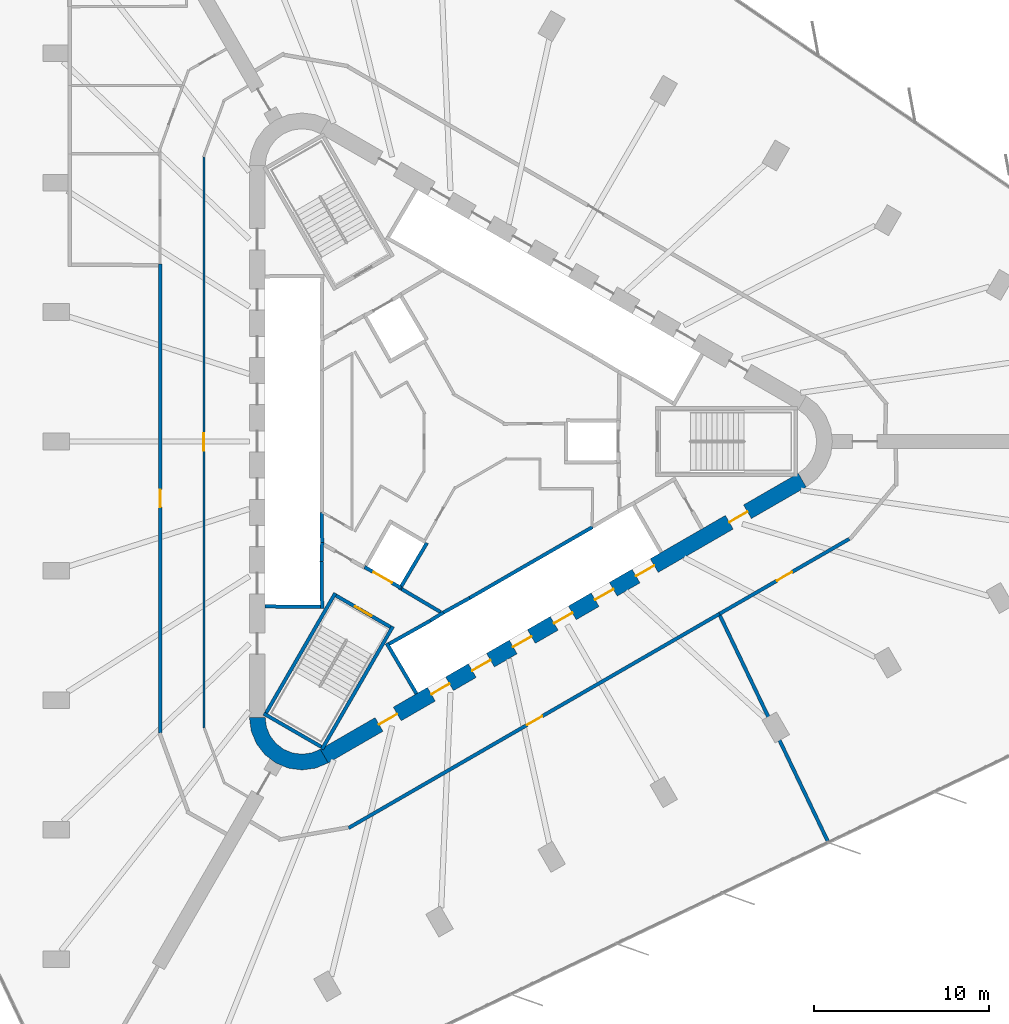
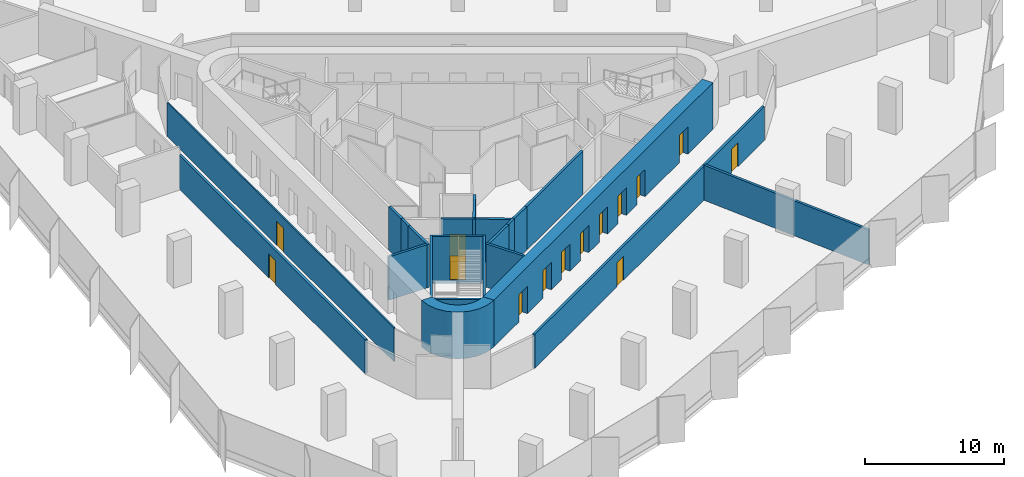
# One storey, part 9 of 14: 23 walls, 14 doors, 14 openings.
"""IFC4 building model written with IfcOpenShell, lengths in metres."""

from ifc_helpers import new_model, si_unit, direction, frame, frame_2d, origin, place, context, subcontext, project, spatial, polyline, rectangle, outline, extrude, material, layer, layer_set, type_object, element, fill, save


model = new_model("IFC4")

# Units and contexts
model_context = context("Model", 3, precision=1e-05, world=origin(), true_north=direction((0.0, 1.0)))
body_context = subcontext(model_context, "Body", "Model", "MODEL_VIEW")
ifc_project = project(units=[si_unit("LENGTHUNIT", "METRE"), si_unit("AREAUNIT", "SQUARE_METRE"), si_unit("VOLUMEUNIT", "CUBIC_METRE"), si_unit("PLANEANGLEUNIT", "RADIAN"), si_unit("MASSUNIT", "GRAM", prefix="KILO")], contexts=[model_context])

# Site, building, storey
site_placement = place(None, origin())
site = spatial("IfcSite", under=ifc_project, at=site_placement, CompositionType="ELEMENT")
building_placement = place(site_placement, origin())
building = spatial("IfcBuilding", under=site, at=building_placement, Name="Tanit Gate Tower", CompositionType="ELEMENT")
storey_placement = place(building_placement, frame((0.0, 0.0, 82.39990234375)))
storey = spatial("IfcBuildingStorey", under=building, at=storey_placement, Name="L16", CompositionType="ELEMENT", Elevation=82.39990234375)

# Wall, openings, doors
ifc_material_1 = material(Name="Concrete C60/75", Category="concrete")
ifc_layer_1 = layer(ifc_material_1, 0.89990234375)
ifc_layer_set_1 = layer_set([ifc_layer_1], Name="CORE WALL 900 C60/75")
wall_type_1 = type_object("IfcWallType", Name="CORE WALL 900 C60/75", PredefinedType="SHEAR", material=ifc_layer_set_1)
wall_1_placement = place(storey_placement, frame((-7.824951171875, -17.969970703125, 0.0), z_axis=(0.0, 0.0, 1.0), x_axis=(0.866028369851, 0.499994862586, 0.0)))
wall_1 = element("IfcWall", 1, at=wall_1_placement, inside=storey, type_object=wall_type_1, Name="CORE WALL", PredefinedType="SHEAR", context=body_context, shape_type="SweptSolid", body=[
    extrude(rectangle(XDim=31.523193359375, YDim=0.89990234375, at=frame_2d((15.76171875, 0.0))), origin(), (0.0, 0.0, 1.0), 4.10009765625),
])
opening_1_placement = place(wall_1_placement, frame((7.061767578125, 0.0, 0.0)))
opening_1 = element("IfcOpeningElement", 2, at=opening_1_placement, cuts=wall_1, Name="Opening LDSX1-S03", PredefinedType="OPENING", context=body_context, shape_type="SweptSolid", body=[
    extrude(rectangle(XDim=1.199951171875, YDim=2.39990234375, at=frame_2d((0.60009765625, 1.199951171875))), frame((0.0, 0.4599609375, 0.0), z_axis=(0.0, -1.0, 0.0), x_axis=(1.0, 0.0, 0.0)), (0.0, 0.0, 1.0), 0.919921875),
])
opening_2_placement = place(wall_1_placement, frame((9.76171875, 0.0, 0.0)))
opening_2 = element("IfcOpeningElement", 3, at=opening_2_placement, cuts=wall_1, Name="Opening LDSX2-S03", PredefinedType="OPENING", context=body_context, shape_type="SweptSolid", body=[
    extrude(rectangle(XDim=1.199951171875, YDim=2.39990234375, at=frame_2d((0.60009765625, 1.199951171875))), frame((0.0, 0.4599609375, 0.0), z_axis=(0.0, -1.0, 0.0), x_axis=(1.0, 0.0, 0.0)), (0.0, 0.0, 1.0), 0.919921875),
])
opening_3_placement = place(wall_1_placement, frame((12.461669921875, 0.0, 0.0)))
opening_3 = element("IfcOpeningElement", 4, at=opening_3_placement, cuts=wall_1, Name="Opening LDSX3-S03", PredefinedType="OPENING", context=body_context, shape_type="SweptSolid", body=[
    extrude(rectangle(XDim=1.199951171875, YDim=2.39990234375, at=frame_2d((0.60009765625, 1.199951171875))), frame((0.0, 0.4599609375, 0.0), z_axis=(0.0, -1.0, 0.0), x_axis=(1.0, 0.0, 0.0)), (0.0, 0.0, 1.0), 0.919921875),
])
opening_4_placement = place(wall_1_placement, frame((15.16162109375, 0.0, 0.0)))
opening_4 = element("IfcOpeningElement", 5, at=opening_4_placement, cuts=wall_1, Name="Opening LDSX4-S03", PredefinedType="OPENING", context=body_context, shape_type="SweptSolid", body=[
    extrude(rectangle(XDim=1.199951171875, YDim=2.39990234375, at=frame_2d((0.60009765625, 1.199951171875))), frame((0.0, 0.4599609375, 0.0), z_axis=(0.0, -1.0, 0.0), x_axis=(1.0, 0.0, 0.0)), (0.0, 0.0, 1.0), 0.919921875),
])
opening_5_placement = place(wall_1_placement, frame((17.861572265625, 0.0, 0.0)))
opening_5 = element("IfcOpeningElement", 6, at=opening_5_placement, cuts=wall_1, Name="Opening LDSV1-S03", PredefinedType="OPENING", context=body_context, shape_type="SweptSolid", body=[
    extrude(rectangle(XDim=1.199951171875, YDim=2.39990234375, at=frame_2d((0.60009765625, 1.199951171875))), frame((0.0, 0.4599609375, 0.0), z_axis=(0.0, -1.0, 0.0), x_axis=(1.0, 0.0, 0.0)), (0.0, 0.0, 1.0), 0.919921875),
])
opening_6_placement = place(wall_1_placement, frame((20.561767578125, 0.0, 0.0)))
opening_6 = element("IfcOpeningElement", 7, at=opening_6_placement, cuts=wall_1, Name="Opening LDSV2-S03", PredefinedType="OPENING", context=body_context, shape_type="SweptSolid", body=[
    extrude(rectangle(XDim=1.199951171875, YDim=2.39990234375, at=frame_2d((0.60009765625, 1.199951171875))), frame((0.0, 0.4599609375, 0.0), z_axis=(0.0, -1.0, 0.0), x_axis=(1.0, 0.0, 0.0)), (0.0, 0.0, 1.0), 0.919921875),
])
opening_7_placement = place(wall_1_placement, frame((26.711669921875, 0.0, 0.0)))
opening_7 = element("IfcOpeningElement", 8, at=opening_7_placement, cuts=wall_1, Name="Opening F12-S03-S1", PredefinedType="OPENING", context=body_context, shape_type="SweptSolid", body=[
    extrude(rectangle(XDim=1.199951171875, YDim=2.39990234375, at=frame_2d((0.60009765625, 1.199951171875))), frame((0.0, 0.4599609375, 0.0), z_axis=(0.0, -1.0, 0.0), x_axis=(1.0, 0.0, 0.0)), (0.0, 0.0, 1.0), 0.919921875),
])
opening_8_placement = place(wall_1_placement, frame((3.611572265625, 0.0, 0.0)))
opening_8 = element("IfcOpeningElement", 9, at=opening_8_placement, cuts=wall_1, Name="Opening F12-S03-FL3", PredefinedType="OPENING", context=body_context, shape_type="SweptSolid", body=[
    extrude(rectangle(XDim=1.199951171875, YDim=2.39990234375, at=frame_2d((0.60009765625, 1.199951171875))), frame((0.0, 0.4599609375, 0.0), z_axis=(0.0, -1.0, 0.0), x_axis=(1.0, 0.0, 0.0)), (0.0, 0.0, 1.0), 0.919921875),
])
ifc_material_2 = material(Name="Fire-rated steel door leaf", Category="steel")
door_type_1 = type_object("IfcDoorType", Name="INT-DOOR-FIRE-LOBBY-1200", OperationType="NOTDEFINED", PredefinedType="USERDEFINED", material=ifc_material_2)
door_1_placement = place(opening_7_placement, origin())
door_1 = element("IfcDoor", 10, at=door_1_placement, inside=storey, type_object=door_type_1, Name="Door F12-S03-S1", ObjectType="FIRE DOOR", OperationType="SINGLE_SWING_RIGHT", OverallHeight=2.39990234375, OverallWidth=1.199951171875, PredefinedType="USERDEFINED", context=body_context, shape_type="SweptSolid", body=[
    extrude(rectangle(XDim=1.199951171875, YDim=2.39990234375, at=frame_2d((0.60009765625, 1.199951171875))), frame((0.0, 0.02490234375, 0.0), z_axis=(0.0, -1.0, 0.0), x_axis=(1.0, 0.0, 0.0)), (0.0, 0.0, 1.0), 0.050048828125),
])
fill(opening_7, door_1)
door_2_placement = place(opening_8_placement, origin())
door_2 = element("IfcDoor", 11, at=door_2_placement, inside=storey, type_object=door_type_1, Name="Door F12-S03-FL3", ObjectType="FIRE DOOR", OperationType="SINGLE_SWING_LEFT", OverallHeight=2.39990234375, OverallWidth=1.199951171875, PredefinedType="USERDEFINED", context=body_context, shape_type="SweptSolid", body=[
    extrude(rectangle(XDim=1.199951171875, YDim=2.39990234375, at=frame_2d((0.60009765625, 1.199951171875))), frame((0.0, 0.02490234375, 0.0), z_axis=(0.0, -1.0, 0.0), x_axis=(1.0, 0.0, 0.0)), (0.0, 0.0, 1.0), 0.050048828125),
])
fill(opening_8, door_2)
ifc_material_3 = material(Name="Stainless steel sliding door leaf", Category="steel")
door_type_2 = type_object("IfcDoorType", Name="INT-DOOR-LANDING-1200", OperationType="NOTDEFINED", PredefinedType="USERDEFINED", material=ifc_material_3)
door_3_placement = place(opening_1_placement, origin())
door_3 = element("IfcDoor", 12, at=door_3_placement, inside=storey, type_object=door_type_2, Name="Door LDSX1-S03", ObjectType="LANDING DOOR", OperationType="SLIDING_TO_LEFT", OverallHeight=2.39990234375, OverallWidth=1.199951171875, PredefinedType="USERDEFINED", context=body_context, shape_type="SweptSolid", body=[
    extrude(rectangle(XDim=1.199951171875, YDim=2.39990234375, at=frame_2d((0.60009765625, 1.199951171875))), frame((0.0, 0.02490234375, 0.0), z_axis=(0.0, -1.0, 0.0), x_axis=(1.0, 0.0, 0.0)), (0.0, 0.0, 1.0), 0.050048828125),
])
fill(opening_1, door_3)
door_4_placement = place(opening_2_placement, origin())
door_4 = element("IfcDoor", 13, at=door_4_placement, inside=storey, type_object=door_type_2, Name="Door LDSX2-S03", ObjectType="LANDING DOOR", OperationType="SLIDING_TO_LEFT", OverallHeight=2.39990234375, OverallWidth=1.199951171875, PredefinedType="USERDEFINED", context=body_context, shape_type="SweptSolid", body=[
    extrude(rectangle(XDim=1.199951171875, YDim=2.39990234375, at=frame_2d((0.60009765625, 1.199951171875))), frame((0.0, 0.02490234375, 0.0), z_axis=(0.0, -1.0, 0.0), x_axis=(1.0, 0.0, 0.0)), (0.0, 0.0, 1.0), 0.050048828125),
])
fill(opening_2, door_4)
door_5_placement = place(opening_3_placement, origin())
door_5 = element("IfcDoor", 14, at=door_5_placement, inside=storey, type_object=door_type_2, Name="Door LDSX3-S03", ObjectType="LANDING DOOR", OperationType="SLIDING_TO_LEFT", OverallHeight=2.39990234375, OverallWidth=1.199951171875, PredefinedType="USERDEFINED", context=body_context, shape_type="SweptSolid", body=[
    extrude(rectangle(XDim=1.199951171875, YDim=2.39990234375, at=frame_2d((0.60009765625, 1.199951171875))), frame((0.0, 0.02490234375, 0.0), z_axis=(0.0, -1.0, 0.0), x_axis=(1.0, 0.0, 0.0)), (0.0, 0.0, 1.0), 0.050048828125),
])
fill(opening_3, door_5)
door_6_placement = place(opening_4_placement, origin())
door_6 = element("IfcDoor", 15, at=door_6_placement, inside=storey, type_object=door_type_2, Name="Door LDSX4-S03", ObjectType="LANDING DOOR", OperationType="SLIDING_TO_LEFT", OverallHeight=2.39990234375, OverallWidth=1.199951171875, PredefinedType="USERDEFINED", context=body_context, shape_type="SweptSolid", body=[
    extrude(rectangle(XDim=1.199951171875, YDim=2.39990234375, at=frame_2d((0.60009765625, 1.199951171875))), frame((0.0, 0.02490234375, 0.0), z_axis=(0.0, -1.0, 0.0), x_axis=(1.0, 0.0, 0.0)), (0.0, 0.0, 1.0), 0.050048828125),
])
fill(opening_4, door_6)
door_7_placement = place(opening_5_placement, origin())
door_7 = element("IfcDoor", 16, at=door_7_placement, inside=storey, type_object=door_type_2, Name="Door LDSV1-S03", ObjectType="LANDING DOOR", OperationType="SLIDING_TO_LEFT", OverallHeight=2.39990234375, OverallWidth=1.199951171875, PredefinedType="USERDEFINED", context=body_context, shape_type="SweptSolid", body=[
    extrude(rectangle(XDim=1.199951171875, YDim=2.39990234375, at=frame_2d((0.60009765625, 1.199951171875))), frame((0.0, 0.02490234375, 0.0), z_axis=(0.0, -1.0, 0.0), x_axis=(1.0, 0.0, 0.0)), (0.0, 0.0, 1.0), 0.050048828125),
])
fill(opening_5, door_7)
door_8_placement = place(opening_6_placement, origin())
door_8 = element("IfcDoor", 17, at=door_8_placement, inside=storey, type_object=door_type_2, Name="Door LDSV2-S03", ObjectType="LANDING DOOR", OperationType="SLIDING_TO_LEFT", OverallHeight=2.39990234375, OverallWidth=1.199951171875, PredefinedType="USERDEFINED", context=body_context, shape_type="SweptSolid", body=[
    extrude(rectangle(XDim=1.199951171875, YDim=2.39990234375, at=frame_2d((0.60009765625, 1.199951171875))), frame((0.0, 0.02490234375, 0.0), z_axis=(0.0, -1.0, 0.0), x_axis=(1.0, 0.0, 0.0)), (0.0, 0.0, 1.0), 0.050048828125),
])
fill(opening_6, door_8)

# Walls
wall_2_placement = place(storey_placement, origin())
element("IfcWall", 18, at=wall_2_placement, inside=storey, type_object=wall_type_1, Name="CORE WALL CORNER", PredefinedType="SHEAR", context=body_context, shape_type="SweptSolid", body=[
    extrude(outline(polyline([(-12.10009765625, -15.76171875), (-11.997802734375, -16.5380859375), (-11.697998046875, -17.26171875), (-11.22119140625, -17.883056640625), (-10.60009765625, -18.359619140625), (-9.87646484375, -18.659423828125), (-9.10009765625, -18.76171875), (-8.323486328125, -18.659423828125), (-7.60009765625, -18.359619140625), (-8.050048828125, -17.580322265625), (-8.556396484375, -17.7900390625), (-9.10009765625, -17.86181640625), (-9.6435546875, -17.7900390625), (-10.14990234375, -17.580322265625), (-10.5849609375, -17.24658203125), (-10.918701171875, -16.811767578125), (-11.12841796875, -16.30517578125), (-11.199951171875, -15.76171875), (-12.10009765625, -15.76171875)])), origin(), (0.0, 0.0, 1.0), 4.10009765625),
])
ifc_material_4 = material(Name="Fire-rated gypsum board partition")
ifc_layer_2 = layer(ifc_material_4, 0.199951171875)
ifc_layer_set_2 = layer_set([ifc_layer_2], Name="INT-WALL-COMPARTMENT")
wall_type_2 = type_object("IfcWallType", Name="INT-WALL-COMPARTMENT", PredefinedType="PARTITIONING", material=ifc_layer_set_2)
wall_3_placement = place(storey_placement, frame((-3.400634765625, -8.43017578125, 0.0), z_axis=(0.0, 0.0, 1.0), x_axis=(0.860615607571, -0.509255118781, 0.0)))
element("IfcWall", 19, at=wall_3_placement, inside=storey, type_object=wall_type_2, Name="Wall Compartment W063", PredefinedType="PARTITIONING", context=body_context, shape_type="SweptSolid", body=[
    extrude(rectangle(XDim=2.58056640625, YDim=0.199951171875, at=frame_2d((1.290283203125, 0.0))), origin(), (0.0, 0.0, 1.0), 3.800048828125),
])

# Wall, opening, door
wall_4_placement = place(storey_placement, frame((-17.199951171875, 10.1298828125, 0.0), z_axis=(0.0, 0.0, 1.0), x_axis=(0.0, -1.0, 0.0)))
wall_4 = element("IfcWall", 20, at=wall_4_placement, inside=storey, type_object=wall_type_2, Name="Wall Compartment W091", PredefinedType="PARTITIONING", context=body_context, shape_type="SweptSolid", body=[
    extrude(rectangle(XDim=26.770263671875, YDim=0.199951171875, at=frame_2d((13.38525390625, 0.0))), origin(), (0.0, 0.0, 1.0), 2.97998046875),
])
opening_9_placement = place(wall_4_placement, frame((12.885009765625, 0.0, 0.0)))
opening_9 = element("IfcOpeningElement", 21, at=opening_9_placement, cuts=wall_4, Name="Opening F10-S03-20", PredefinedType="OPENING", context=body_context, shape_type="SweptSolid", body=[
    extrude(rectangle(XDim=1.0, YDim=2.10009765625, at=frame_2d((0.5, 1.050048828125))), frame((0.0, 0.10986328125, 0.0), z_axis=(0.0, -1.0, 0.0), x_axis=(1.0, 0.0, 0.0)), (0.0, 0.0, 1.0), 0.219970703125),
])
ifc_material_5 = material(Name="Fire-rated steel door leaf", Category="steel")
door_type_3 = type_object("IfcDoorType", Name="INT-DOOR-FIRE-1000", OperationType="NOTDEFINED", PredefinedType="USERDEFINED", material=ifc_material_5)
door_9_placement = place(opening_9_placement, origin())
door_9 = element("IfcDoor", 22, at=door_9_placement, inside=storey, type_object=door_type_3, Name="Door F10-S03-20", ObjectType="FIRE DOOR", OperationType="SINGLE_SWING_RIGHT", OverallHeight=2.10009765625, OverallWidth=1.0, PredefinedType="USERDEFINED", context=body_context, shape_type="SweptSolid", body=[
    extrude(rectangle(XDim=1.0, YDim=2.10009765625, at=frame_2d((0.5, 1.050048828125))), frame((0.0, 0.02490234375, 0.0), z_axis=(0.0, -1.0, 0.0), x_axis=(1.0, 0.0, 0.0)), (0.0, 0.0, 1.0), 0.050048828125),
])
fill(opening_9, door_9)

wall_5_placement = place(storey_placement, frame((-6.435546875, -22.075439453125, 0.0), z_axis=(0.0, 0.0, 1.0), x_axis=(0.866023723109, 0.500002911003, 0.0)))
wall_5 = element("IfcWall", 23, at=wall_5_placement, inside=storey, type_object=wall_type_2, Name="Wall Compartment W104", PredefinedType="PARTITIONING", context=body_context, shape_type="SweptSolid", body=[
    extrude(rectangle(XDim=24.464599609375, YDim=0.199951171875, at=frame_2d((12.232421875, 0.0))), origin(), (0.0, 0.0, 1.0), 2.97998046875),
])
opening_10_placement = place(wall_5_placement, frame((11.7705078125, 0.0, 0.0)))
opening_10 = element("IfcOpeningElement", 24, at=opening_10_placement, cuts=wall_5, Name="Opening F10-S03-23", PredefinedType="OPENING", context=body_context, shape_type="SweptSolid", body=[
    extrude(rectangle(XDim=1.0, YDim=2.10009765625, at=frame_2d((0.5, 1.050048828125))), frame((0.0, 0.10986328125, 0.0), z_axis=(0.0, -1.0, 0.0), x_axis=(1.0, 0.0, 0.0)), (0.0, 0.0, 1.0), 0.219970703125),
])
door_10_placement = place(opening_10_placement, origin())
door_10 = element("IfcDoor", 25, at=door_10_placement, inside=storey, type_object=door_type_3, Name="Door F10-S03-23", ObjectType="FIRE DOOR", OperationType="SINGLE_SWING_LEFT", OverallHeight=2.10009765625, OverallWidth=1.0, PredefinedType="USERDEFINED", context=body_context, shape_type="SweptSolid", body=[
    extrude(rectangle(XDim=1.0, YDim=2.10009765625, at=frame_2d((0.5, 1.050048828125))), frame((0.0, 0.02490234375, 0.0), z_axis=(0.0, -1.0, 0.0), x_axis=(1.0, 0.0, 0.0)), (0.0, 0.0, 1.0), 0.050048828125),
])
fill(opening_10, door_10)

wall_6_placement = place(storey_placement, frame((14.75146484375, -9.843017578125, 0.0), z_axis=(0.0, 0.0, 1.0), x_axis=(0.866018824381, 0.500011395688, 0.0)))
wall_6 = element("IfcWall", 26, at=wall_6_placement, inside=storey, type_object=wall_type_2, Name="Wall Compartment W103", PredefinedType="PARTITIONING", context=body_context, shape_type="SweptSolid", body=[
    extrude(rectangle(XDim=8.557373046875, YDim=0.199951171875, at=frame_2d((4.27880859375, 0.0))), origin(), (0.0, 0.0, 1.0), 2.97998046875),
])
opening_11_placement = place(wall_6_placement, frame((3.77880859375, 0.0, 0.0)))
opening_11 = element("IfcOpeningElement", 27, at=opening_11_placement, cuts=wall_6, Name="Opening F10-S03-22", PredefinedType="OPENING", context=body_context, shape_type="SweptSolid", body=[
    extrude(rectangle(XDim=1.0, YDim=2.10009765625, at=frame_2d((0.5, 1.050048828125))), frame((0.0, 0.10986328125, 0.0), z_axis=(0.0, -1.0, 0.0), x_axis=(1.0, 0.0, 0.0)), (0.0, 0.0, 1.0), 0.219970703125),
])
door_11_placement = place(opening_11_placement, origin())
door_11 = element("IfcDoor", 28, at=door_11_placement, inside=storey, type_object=door_type_3, Name="Door F10-S03-22", ObjectType="FIRE DOOR", OperationType="SINGLE_SWING_RIGHT", OverallHeight=2.10009765625, OverallWidth=1.0, PredefinedType="USERDEFINED", context=body_context, shape_type="SweptSolid", body=[
    extrude(rectangle(XDim=1.0, YDim=2.10009765625, at=frame_2d((0.5, 1.050048828125))), frame((0.0, 0.02490234375, 0.0), z_axis=(0.0, -1.0, 0.0), x_axis=(1.0, 0.0, 0.0)), (0.0, 0.0, 1.0), 0.050048828125),
])
fill(opening_11, door_11)

# Wall
wall_7_placement = place(storey_placement, frame((20.95654296875, -22.8818359375, 0.0), z_axis=(0.0, 0.0, 1.0), x_axis=(-0.431211460357, 0.902250894406, 0.0)))
element("IfcWall", 29, at=wall_7_placement, inside=storey, type_object=wall_type_2, Name="Wall Compartment W119", PredefinedType="PARTITIONING", context=body_context, shape_type="SweptSolid", body=[
    extrude(rectangle(XDim=14.337890625, YDim=0.199951171875, at=frame_2d((7.1689453125, 0.0))), origin(), (0.0, 0.0, 1.0), 3.080078125),
])

# Wall, opening, door
ifc_material_6 = material(Name="Gypsum board partition")
ifc_layer_3 = layer(ifc_material_6, 0.1201171875)
ifc_layer_set_3 = layer_set([ifc_layer_3], Name="INT-WALL-PARTITION")
wall_type_3 = type_object("IfcWallType", Name="INT-WALL-PARTITION", PredefinedType="PARTITIONING", material=ifc_layer_set_3)
wall_8_placement = place(storey_placement, frame((-14.699951171875, -16.359375, 0.0), z_axis=(0.0, 0.0, 1.0), x_axis=(0.0, 1.0, 0.0)))
wall_8 = element("IfcWall", 30, at=wall_8_placement, inside=storey, type_object=wall_type_3, Name="Wall Partition W086", PredefinedType="PARTITIONING", context=body_context, shape_type="SweptSolid", body=[
    extrude(rectangle(XDim=32.598876953125, YDim=0.1201171875, at=frame_2d((16.29931640625, 0.0))), origin(), (0.0, 0.0, 1.0), 2.97998046875),
])
opening_12_placement = place(wall_8_placement, frame((15.82958984375, 0.0, 0.0)))
opening_12 = element("IfcOpeningElement", 31, at=opening_12_placement, cuts=wall_8, Name="Opening D10-S03-15", PredefinedType="OPENING", context=body_context, shape_type="SweptSolid", body=[
    extrude(rectangle(XDim=1.0, YDim=2.10009765625, at=frame_2d((0.5, 1.050048828125))), frame((0.0, 0.070068359375, 0.0), z_axis=(0.0, -1.0, 0.0), x_axis=(1.0, 0.0, 0.0)), (0.0, 0.0, 1.0), 0.14013671875),
])
ifc_material_7 = material(Name="Timber door leaf", Category="wood")
door_type_4 = type_object("IfcDoorType", Name="INT-DOOR-SINGLE-1000", OperationType="NOTDEFINED", PredefinedType="NOTDEFINED", material=ifc_material_7)
door_12_placement = place(opening_12_placement, origin())
door_12 = element("IfcDoor", 32, at=door_12_placement, inside=storey, type_object=door_type_4, Name="Door D10-S03-15", OperationType="SINGLE_SWING_RIGHT", OverallHeight=2.10009765625, OverallWidth=1.0, PredefinedType="NOTDEFINED", context=body_context, shape_type="SweptSolid", body=[
    extrude(rectangle(XDim=1.0, YDim=2.10009765625, at=frame_2d((0.5, 1.050048828125))), frame((0.0, 0.02490234375, 0.0), z_axis=(0.0, -1.0, 0.0), x_axis=(1.0, 0.0, 0.0)), (0.0, 0.0, 1.0), 0.050048828125),
])
fill(opening_12, door_12)

# Walls
ifc_material_8 = material(Name="Gypsum shaft wall system")
ifc_layer_4 = layer(ifc_material_8, 0.199951171875)
ifc_layer_set_4 = layer_set([ifc_layer_4], Name="INT-WALL-SHAFT")
wall_type_4 = type_object("IfcWallType", Name="INT-WALL-SHAFT", PredefinedType="PLUMBINGWALL", material=ifc_layer_set_4)
wall_9_placement = place(storey_placement, frame((-7.949951171875, -5.7724609375, 0.0), z_axis=(0.0, 0.0, 1.0), x_axis=(-0.030803413295, -0.999525462272, 0.0)))
element("IfcWall", 33, at=wall_9_placement, inside=storey, type_object=wall_type_4, Name="Wall Shaft W009", PredefinedType="PLUMBINGWALL", context=body_context, shape_type="SweptSolid", body=[
    extrude(rectangle(XDim=1.077880859375, YDim=0.199951171875, at=frame_2d((0.5390625, 0.0))), origin(), (0.0, 0.0, 1.0), 3.800048828125),
])
wall_10_placement = place(storey_placement, frame((-7.971435546875, -4.050048828125, 0.0), z_axis=(0.0, 0.0, 1.0), x_axis=(0.012042535896, -0.999927486035, 0.0)))
element("IfcWall", 34, at=wall_10_placement, inside=storey, type_object=wall_type_4, Name="Wall Shaft W010", PredefinedType="PLUMBINGWALL", context=body_context, shape_type="SweptSolid", body=[
    extrude(rectangle(XDim=1.844970703125, YDim=0.199951171875, at=frame_2d((0.92236328125, 0.0))), origin(), (0.0, 0.0, 1.0), 3.800048828125),
])
wall_11_placement = place(storey_placement, frame((-7.97900390625, -6.85009765625, 0.0), z_axis=(0.0, 0.0, 1.0), x_axis=(0.011121475088, -0.999938154483, 0.0)))
element("IfcWall", 35, at=wall_11_placement, inside=storey, type_object=wall_type_4, Name="Wall Shaft W011", PredefinedType="PLUMBINGWALL", context=body_context, shape_type="SweptSolid", body=[
    extrude(rectangle(XDim=2.7001953125, YDim=0.199951171875, at=frame_2d((1.35009765625, 0.0))), origin(), (0.0, 0.0, 1.0), 3.800048828125),
])
wall_12_placement = place(storey_placement, frame((-8.050048828125, -9.448974609375, 0.0), z_axis=(0.0, 0.0, 1.0), x_axis=(-0.999957467379, 0.009222983926, 0.0)))
element("IfcWall", 36, at=wall_12_placement, inside=storey, type_object=wall_type_4, Name="Wall Shaft W012", PredefinedType="PLUMBINGWALL", context=body_context, shape_type="SweptSolid", body=[
    extrude(rectangle(XDim=3.150146484375, YDim=0.199951171875, at=frame_2d((1.5751953125, 0.0))), origin(), (0.0, 0.0, 1.0), 3.800048828125),
])
wall_13_placement = place(storey_placement, frame((0.482666015625, -8.935791015625, 0.0), z_axis=(0.0, 0.0, 1.0), x_axis=(0.866030989016, 0.499990325971, 0.0)))
element("IfcWall", 37, at=wall_13_placement, inside=storey, type_object=wall_type_4, Name="Wall Shaft W031", PredefinedType="PLUMBINGWALL", context=body_context, shape_type="SweptSolid", body=[
    extrude(rectangle(XDim=8.099853515625, YDim=0.199951171875, at=frame_2d((4.0498046875, 0.0))), origin(), (0.0, 0.0, 1.0), 3.800048828125),
])
wall_14_placement = place(storey_placement, frame((-2.557861328125, -14.409423828125, 0.0), z_axis=(0.0, 0.0, 1.0), x_axis=(-0.507997497166, 0.861358544901, 0.0)))
element("IfcWall", 38, at=wall_14_placement, inside=storey, type_object=wall_type_4, Name="Wall Shaft W027", PredefinedType="PLUMBINGWALL", context=body_context, shape_type="SweptSolid", body=[
    extrude(rectangle(XDim=3.350341796875, YDim=0.199951171875, at=frame_2d((1.67529296875, 0.0))), origin(), (0.0, 0.0, 1.0), 3.800048828125),
])
wall_15_placement = place(storey_placement, frame((-1.7685546875, -10.23681640625, 0.0), z_axis=(0.0, 0.0, 1.0), x_axis=(-0.871534483978, -0.490334215854, 0.0)))
element("IfcWall", 39, at=wall_15_placement, inside=storey, type_object=wall_type_4, Name="Wall Shaft W028", PredefinedType="PLUMBINGWALL", context=body_context, shape_type="SweptSolid", body=[
    extrude(rectangle(XDim=2.7001953125, YDim=0.199951171875, at=frame_2d((1.35009765625, 0.0))), origin(), (0.0, 0.0, 1.0), 3.800048828125),
])
wall_16_placement = place(storey_placement, frame((-1.02392578125, -9.77099609375, 0.0), z_axis=(0.0, 0.0, 1.0), x_axis=(-0.850348075135, -0.526220629693, 0.0)))
element("IfcWall", 40, at=wall_16_placement, inside=storey, type_object=wall_type_4, Name="Wall Shaft W029", PredefinedType="PLUMBINGWALL", context=body_context, shape_type="SweptSolid", body=[
    extrude(rectangle(XDim=0.878173828125, YDim=0.199951171875, at=frame_2d((0.43896484375, 0.0))), origin(), (0.0, 0.0, 1.0), 3.800048828125),
])
wall_17_placement = place(storey_placement, frame((-1.130126953125, -9.831298828125, 0.0), z_axis=(0.0, 0.0, 1.0), x_axis=(0.874269620932, 0.485440655401, 0.0)))
element("IfcWall", 41, at=wall_17_placement, inside=storey, type_object=wall_type_4, Name="Wall Shaft W030", PredefinedType="PLUMBINGWALL", context=body_context, shape_type="SweptSolid", body=[
    extrude(rectangle(XDim=1.8447265625, YDim=0.199951171875, at=frame_2d((0.92236328125, 0.0))), origin(), (0.0, 0.0, 1.0), 3.800048828125),
])

# Wall, opening, door
wall_18_placement = place(storey_placement, frame((-3.44580078125, -8.3681640625, 0.0), z_axis=(0.0, 0.0, 1.0), x_axis=(-0.866024647952, 0.500001309137, 0.0)))
wall_18 = element("IfcWall", 42, at=wall_18_placement, inside=storey, type_object=wall_type_4, Name="Wall Shaft W053", PredefinedType="PLUMBINGWALL", context=body_context, shape_type="SweptSolid", body=[
    extrude(rectangle(XDim=2.39990234375, YDim=0.199951171875, at=frame_2d((1.199951171875, 0.0))), origin(), (0.0, 0.0, 1.0), 3.800048828125),
])
opening_13_placement = place(wall_18_placement, frame((0.60009765625, 0.0, 0.0)))
opening_13 = element("IfcOpeningElement", 43, at=opening_13_placement, cuts=wall_18, Name="Opening LDFL3-L16", PredefinedType="OPENING", context=body_context, shape_type="SweptSolid", body=[
    extrude(rectangle(XDim=1.199951171875, YDim=2.39990234375, at=frame_2d((0.60009765625, 1.199951171875))), frame((0.0, 0.10986328125, 0.0), z_axis=(0.0, -1.0, 0.0), x_axis=(1.0, 0.0, 0.0)), (0.0, 0.0, 1.0), 0.219970703125),
])
door_13_placement = place(opening_13_placement, origin())
door_13 = element("IfcDoor", 44, at=door_13_placement, inside=storey, type_object=door_type_2, Name="Door LDFL3-L16", ObjectType="LANDING DOOR", OperationType="SLIDING_TO_LEFT", OverallHeight=2.39990234375, OverallWidth=1.199951171875, PredefinedType="USERDEFINED", context=body_context, shape_type="SweptSolid", body=[
    extrude(rectangle(XDim=1.199951171875, YDim=2.39990234375, at=frame_2d((0.60009765625, 1.199951171875))), frame((0.0, 0.02490234375, 0.0), z_axis=(0.0, -1.0, 0.0), x_axis=(1.0, 0.0, 0.0)), (0.0, 0.0, 1.0), 0.050048828125),
])
fill(opening_13, door_13)

# Walls
wall_19_placement = place(storey_placement, frame((-1.960693359375, -5.796142578125, 0.0), z_axis=(0.0, 0.0, 1.0), x_axis=(-0.508647062354, -0.860975125052, 0.0)))
element("IfcWall", 45, at=wall_19_placement, inside=storey, type_object=wall_type_4, Name="Wall Shaft W054", PredefinedType="PLUMBINGWALL", context=body_context, shape_type="SweptSolid", body=[
    extrude(rectangle(XDim=3.10009765625, YDim=0.199951171875, at=frame_2d((1.550048828125, 0.0))), origin(), (0.0, 0.0, 1.0), 3.800048828125),
])
ifc_material_9 = material(Name="Concrete C40/50", Category="concrete")
ifc_layer_5 = layer(ifc_material_9, 0.199951171875)
ifc_layer_set_5 = layer_set([ifc_layer_5], Name="INT-WALL-STAIR")
wall_type_5 = type_object("IfcWallType", Name="INT-WALL-STAIR", PredefinedType="SHEAR", material=ifc_layer_set_5)
wall_20_placement = place(storey_placement, frame((-3.904541015625, -10.56298828125, -0.2998046875), z_axis=(0.0, 0.0, 1.0), x_axis=(-0.500012932018, -0.866017937352, 0.0)))
element("IfcWall", 46, at=wall_20_placement, inside=storey, type_object=wall_type_5, Name="Wall Stair W049", PredefinedType="SHEAR", context=body_context, shape_type="SweptSolid", body=[
    extrude(rectangle(XDim=8.099853515625, YDim=0.199951171875, at=frame_2d((4.0498046875, 0.0))), origin(), (0.0, 0.0, 1.0), 4.099853515625),
])
wall_21_placement = place(storey_placement, frame((-11.281982421875, -15.541015625, -0.2998046875), z_axis=(0.0, 0.0, 1.0), x_axis=(0.866000483506, -0.500043160704, 0.0)))
element("IfcWall", 47, at=wall_21_placement, inside=storey, type_object=wall_type_5, Name="Wall Stair W050", PredefinedType="SHEAR", context=body_context, shape_type="SweptSolid", body=[
    extrude(rectangle(XDim=3.800048828125, YDim=0.199951171875, at=frame_2d((1.89990234375, 0.0))), origin(), (0.0, 0.0, 1.0), 4.099853515625),
])
wall_22_placement = place(storey_placement, frame((-7.195556640625, -8.662841796875, -0.2998046875), z_axis=(0.0, 0.0, 1.0), x_axis=(-0.499997992926, -0.866026562566, 0.0)))
element("IfcWall", 48, at=wall_22_placement, inside=storey, type_object=wall_type_5, Name="Wall Stair W051", PredefinedType="SHEAR", context=body_context, shape_type="SweptSolid", body=[
    extrude(rectangle(XDim=7.89990234375, YDim=0.199951171875, at=frame_2d((3.949951171875, 0.0))), origin(), (0.0, 0.0, 1.0), 4.099853515625),
])

# Wall, opening, door
wall_23_placement = place(storey_placement, frame((-4.041259765625, -10.599365234375, -0.2998046875), z_axis=(0.0, 0.0, 1.0), x_axis=(-0.866047807691, 0.499961193289, 0.0)))
wall_23 = element("IfcWall", 49, at=wall_23_placement, inside=storey, type_object=wall_type_5, Name="Wall Stair W052", PredefinedType="SHEAR", context=body_context, shape_type="SweptSolid", body=[
    extrude(rectangle(XDim=3.599853515625, YDim=0.199951171875, at=frame_2d((1.7998046875, 0.0))), origin(), (0.0, 0.0, 1.0), 4.099853515625),
])
opening_14_placement = place(wall_23_placement, frame((1.25, 0.0, 0.300048828125)))
opening_14 = element("IfcOpeningElement", 50, at=opening_14_placement, cuts=wall_23, Name="Opening S11-S03-07", PredefinedType="OPENING", context=body_context, shape_type="SweptSolid", body=[
    extrude(rectangle(XDim=1.10009765625, YDim=2.10009765625, at=frame_2d((0.550048828125, 1.050048828125))), frame((0.0, 0.10986328125, 0.0), z_axis=(0.0, -1.0, 0.0), x_axis=(1.0, 0.0, 0.0)), (0.0, 0.0, 1.0), 0.219970703125),
])
ifc_material_10 = material(Name="Timber door leaf", Category="wood")
door_type_5 = type_object("IfcDoorType", Name="INT-DOOR-STAIR-1100", OperationType="NOTDEFINED", PredefinedType="USERDEFINED", material=ifc_material_10)
door_14_placement = place(opening_14_placement, origin())
door_14 = element("IfcDoor", 51, at=door_14_placement, inside=storey, type_object=door_type_5, Name="Door S11-S03-07", ObjectType="FIRE DOOR", OperationType="SINGLE_SWING_LEFT", OverallHeight=2.10009765625, OverallWidth=1.10009765625, PredefinedType="USERDEFINED", context=body_context, shape_type="SweptSolid", body=[
    extrude(rectangle(XDim=1.10009765625, YDim=2.10009765625, at=frame_2d((0.550048828125, 1.050048828125))), frame((0.0, 0.02490234375, 0.0), z_axis=(0.0, -1.0, 0.0), x_axis=(1.0, 0.0, 0.0)), (0.0, 0.0, 1.0), 0.050048828125),
])
fill(opening_14, door_14)

save(model, "model.ifc")
